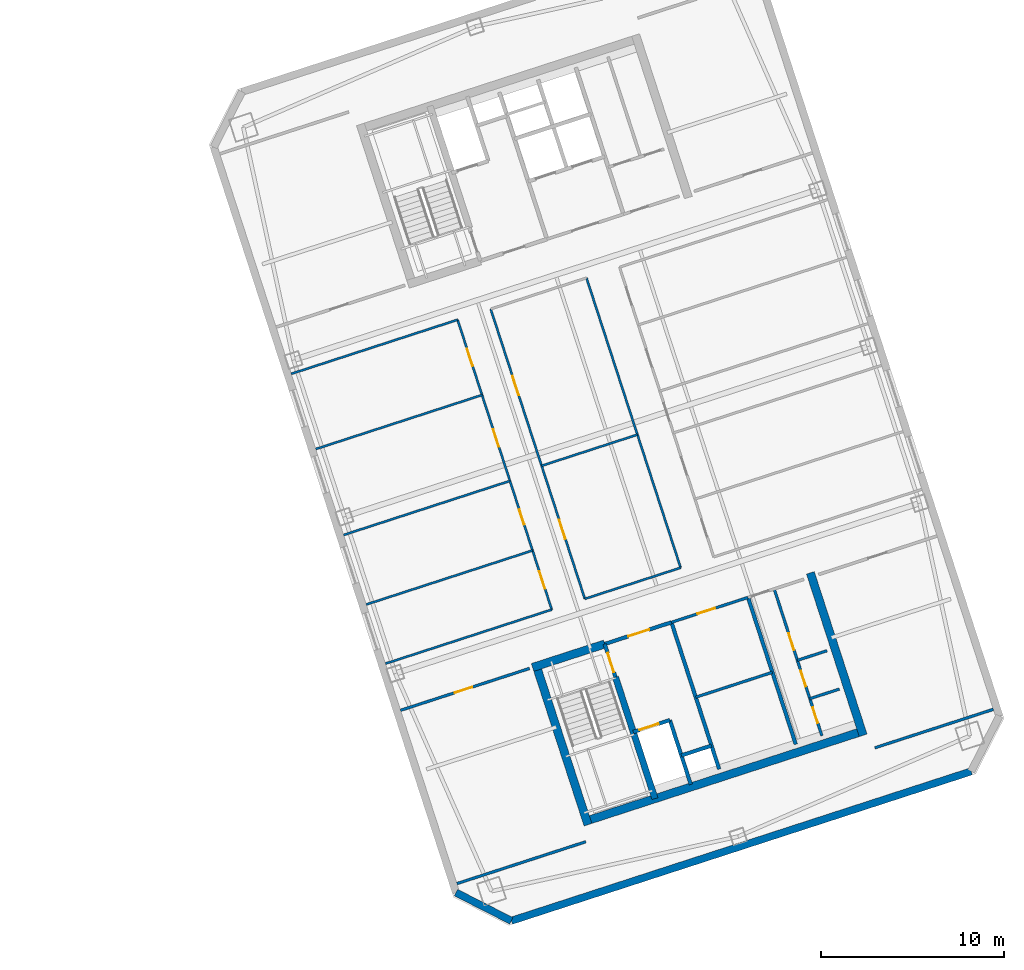
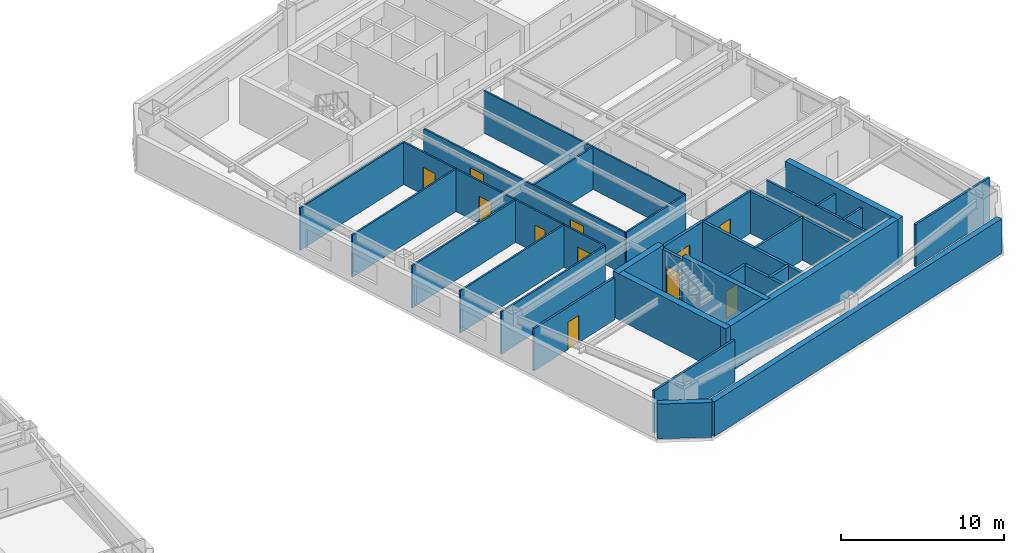
# One storey, part 8 of 13: 32 walls, 14 doors, 14 openings.
"""IFC4 building model written with IfcOpenShell, lengths in metres."""

from ifc_helpers import new_model, si_unit, direction, frame, frame_2d, origin, place, context, subcontext, project, spatial, rectangle, extrude, material, layer, layer_set, type_object, element, fill, save


model = new_model("IFC4")

# Units and contexts
model_context = context("Model", 3, precision=1e-05, world=origin(), true_north=direction((0.0, 1.0)))
body_context = subcontext(model_context, "Body", "Model", "MODEL_VIEW")
ifc_project = project(units=[si_unit("LENGTHUNIT", "METRE"), si_unit("AREAUNIT", "SQUARE_METRE"), si_unit("VOLUMEUNIT", "CUBIC_METRE"), si_unit("PLANEANGLEUNIT", "RADIAN"), si_unit("MASSUNIT", "GRAM", prefix="KILO")], contexts=[model_context])

# Site, building, storey
site_placement = place(None, origin())
site = spatial("IfcSite", under=ifc_project, at=site_placement, CompositionType="ELEMENT")
building_placement = place(site_placement, origin())
building = spatial("IfcBuilding", under=site, at=building_placement, Name="Qiaolan Cultural Towers", CompositionType="ELEMENT")
storey_placement = place(building_placement, frame((0.0, 0.0, 192.050048828125)))
storey = spatial("IfcBuildingStorey", under=building, at=storey_placement, Name="L51", CompositionType="ELEMENT", Elevation=192.050048828125)

# Walls
ifc_material_1 = material(Name="Concrete C50", Category="concrete")
ifc_layer_1 = layer(ifc_material_1, 0.35009765625)
ifc_layer_set_1 = layer_set([ifc_layer_1], Name="Concrete C50")
wall_type_1 = type_object("IfcWallType", Name="WL-CORE-350", PredefinedType="SHEAR", material=ifc_layer_set_1)
wall_1_placement = place(storey_placement, frame((90.486328125, 20.59423828125, 0.0), z_axis=(0.0, 0.0, 1.0), x_axis=(0.309020428229, -0.951055400562, 0.0)))
element("IfcWall", 1, at=wall_1_placement, inside=storey, type_object=wall_type_1, Name="L51 T2-CS Stair Core Dividing Web", PredefinedType="SHEAR", context=body_context, shape_type="SweptSolid", body=[
    extrude(rectangle(XDim=6.97998046875, YDim=0.35009765625, at=frame_2d((3.489990234375, 0.0))), origin(), (0.0, 0.0, 1.0), 3.449951171875),
])
ifc_material_2 = material(Name="Concrete C50", Category="concrete")
ifc_layer_2 = layer(ifc_material_2, 0.449951171875)
ifc_layer_set_2 = layer_set([ifc_layer_2], Name="Concrete C50")
wall_type_2 = type_object("IfcWallType", Name="WL-CORE-450", PredefinedType="SHEAR", material=ifc_layer_set_2)
wall_2_placement = place(storey_placement, frame((88.701171875, 12.675048828125, 0.0), z_axis=(0.0, 0.0, 1.0), x_axis=(0.95105824505, 0.309011673763, 0.0)))
element("IfcWall", 2, at=wall_2_placement, inside=storey, type_object=wall_type_2, Name="L51 T2-CS Outer Core Shear Wall", PredefinedType="SHEAR", context=body_context, shape_type="SweptSolid", body=[
    extrude(rectangle(XDim=16.250244140625, YDim=0.449951171875, at=frame_2d((8.125, 0.0))), origin(), (0.0, 0.0, 1.0), 3.449951171875),
])
for number, where, z_axis, x_axis, name in (
    (3, (86.1015625, 21.40380859375, 0.0), (0.0, 0.0, 1.0), (0.309035778627, -0.951050412717, 0.0), "L51 T2-CS West Core Shear Wall"),
    (4, (101.12841796875, 26.286376953125, 0.0), (0.0, 0.0, 1.0), (0.309004419953, -0.951060601881, 0.0), "L51 T2-CS East Core Shear Wall"),
):
    element("IfcWall", number, at=place(storey_placement, frame(where, z_axis=z_axis, x_axis=x_axis)), inside=storey, type_object=wall_type_2, Name=name, PredefinedType="SHEAR", context=body_context, shape_type="SweptSolid", body=[
        extrude(rectangle(XDim=9.330078125, YDim=0.449951171875, at=frame_2d((4.6650390625, 0.0))), origin(), (0.0, 0.0, 1.0), 3.449951171875),
    ])
wall_3_placement = place(storey_placement, frame((85.957275390625, 21.120361328125, 0.0), z_axis=(0.0, 0.0, 1.0), x_axis=(0.951064796122, 0.308991510526, 0.0)))
element("IfcWall", 5, at=wall_3_placement, inside=storey, type_object=wall_type_2, Name="L51 T2-CS Stair Front Shear Wall", PredefinedType="SHEAR", context=body_context, shape_type="SweptSolid", body=[
    extrude(rectangle(XDim=4.14501953125, YDim=0.449951171875, at=frame_2d((2.072509765625, 0.0))), origin(), (0.0, 0.0, 1.0), 3.449951171875),
])
ifc_material_3 = material(Name="Precast Concrete C50 Honed Stone Pier", Category="masonry")
ifc_layer_3 = layer(ifc_material_3, 0.39990234375)
ifc_layer_set_3 = layer_set([ifc_layer_3], Name="Precast Concrete C50 Honed Stone Pier")
wall_type_3 = type_object("IfcWallType", Name="WL-EXT-PIER-400", PredefinedType="SOLIDWALL", material=ifc_layer_set_3)
wall_4_placement = place(storey_placement, frame((109.908447265625, 15.44384765625, 0.0), z_axis=(0.0, 0.0, 1.0), x_axis=(-0.951057580055, -0.30901372044, 0.0)))
element("IfcWall", 6, at=wall_4_placement, inside=storey, type_object=wall_type_3, Name="L51 East Tower Precast Pier Facade Wall F7", PredefinedType="SOLIDWALL", context=body_context, shape_type="SweptSolid", body=[
    extrude(rectangle(XDim=26.39990234375, YDim=0.39990234375, at=frame_2d((13.199951171875, 0.0))), origin(), (0.0, 0.0, 1.0), 2.60986328125),
])
wall_5_placement = place(storey_placement, frame((84.800537109375, 7.285888671875, 0.0), z_axis=(0.0, 0.0, 1.0), x_axis=(-0.891020832027, 0.453962417932, 0.0)))
element("IfcWall", 7, at=wall_5_placement, inside=storey, type_object=wall_type_3, Name="L51 East Tower Precast Pier Facade Wall F8", PredefinedType="SOLIDWALL", context=body_context, shape_type="SweptSolid", body=[
    extrude(rectangle(XDim=3.39404296875, YDim=0.39990234375, at=frame_2d((1.697021484375, 0.0))), origin(), (0.0, 0.0, 1.0), 2.60986328125),
])

# Wall, opening, door
ifc_material_4 = material(Name="Concrete C35 Fire Wall", Category="concrete")
ifc_layer_4 = layer(ifc_material_4, 0.199951171875)
ifc_layer_set_4 = layer_set([ifc_layer_4], Name="Concrete C35 Fire Wall")
wall_type_4 = type_object("IfcWallType", Name="WL-FIRE-200", PredefinedType="PARTITIONING", material=ifc_layer_set_4)
wall_6_placement = place(storey_placement, frame((89.8994140625, 22.401123046875, 0.0), z_axis=(0.0, 0.0, 1.0), x_axis=(0.308932062672, -0.951084108086, 0.0)))
wall_6 = element("IfcWall", 8, at=wall_6_placement, inside=storey, type_object=wall_type_4, Name="L51 T2-CS Smokeproof Stair Entry Wall", PredefinedType="PARTITIONING", context=body_context, shape_type="SweptSolid", body=[
    extrude(rectangle(XDim=1.89990234375, YDim=0.199951171875, at=frame_2d((0.949951171875, 0.0))), origin(), (0.0, 0.0, 1.0), 3.175048828125),
])
opening_1_placement = place(wall_6_placement, frame((0.52001953125, 0.0, 0.0)))
opening_1 = element("IfcOpeningElement", 9, at=opening_1_placement, cuts=wall_6, Name="Opening FD-04", PredefinedType="OPENING", context=body_context, shape_type="SweptSolid", body=[
    extrude(rectangle(XDim=1.10009765625, YDim=2.050048828125, at=frame_2d((0.550048828125, 1.02490234375))), frame((0.0, 0.10986328125, 0.0), z_axis=(0.0, -1.0, 0.0), x_axis=(1.0, 0.0, 0.0)), (0.0, 0.0, 1.0), 0.219970703125),
])
ifc_material_5 = material(Name="Galvanized Steel Command Fire Door", Category="steel")
door_type_1 = type_object("IfcDoorType", Name="DR-FD90-1100", OperationType="NOTDEFINED", PredefinedType="DOOR", material=ifc_material_5)
door_1_placement = place(opening_1_placement, origin())
door_1 = element("IfcDoor", 10, at=door_1_placement, inside=storey, type_object=door_type_1, Name="L51 ST-E1 Smokeproof Stair Fire Door", OperationType="SINGLE_SWING_LEFT", OverallHeight=2.050048828125, OverallWidth=1.10009765625, PredefinedType="DOOR", context=body_context, shape_type="SweptSolid", body=[
    extrude(rectangle(XDim=1.10009765625, YDim=2.050048828125, at=frame_2d((0.550048828125, 1.02490234375))), frame((0.0, 0.02490234375, 0.0), z_axis=(0.0, -1.0, 0.0), x_axis=(1.0, 0.0, 0.0)), (0.0, 0.0, 1.0), 0.050048828125),
])
fill(opening_1, door_1)

# Wall
wall_7_placement = place(storey_placement, frame((93.541748046875, 23.584716796875, 0.0), z_axis=(0.0, 0.0, 1.0), x_axis=(0.309042196757, -0.951048327176, 0.0)))
element("IfcWall", 11, at=wall_7_placement, inside=storey, type_object=wall_type_4, Name="L51 T2-CS Firefighting Zone Wall", PredefinedType="PARTITIONING", context=body_context, shape_type="SweptSolid", body=[
    extrude(rectangle(XDim=8.429931640625, YDim=0.199951171875, at=frame_2d((4.21484375, 0.0))), origin(), (0.0, 0.0, 1.0), 3.175048828125),
])

# Wall, opening, door
wall_8_placement = place(storey_placement, frame((89.8994140625, 22.401123046875, 0.0), z_axis=(0.0, 0.0, 1.0), x_axis=(0.951046716504, 0.309047153403, 0.0)))
wall_8 = element("IfcWall", 12, at=wall_8_placement, inside=storey, type_object=wall_type_4, Name="L51 T2-CS Firefighting Lobby Front Wall", PredefinedType="PARTITIONING", context=body_context, shape_type="SweptSolid", body=[
    extrude(rectangle(XDim=3.829833984375, YDim=0.199951171875, at=frame_2d((1.9150390625, 0.0))), origin(), (0.0, 0.0, 1.0), 3.175048828125),
])
opening_2_placement = place(wall_8_placement, frame((1.35009765625, 0.0, 0.0)))
opening_2 = element("IfcOpeningElement", 13, at=opening_2_placement, cuts=wall_8, Name="Opening FD-03", PredefinedType="OPENING", context=body_context, shape_type="SweptSolid", body=[
    extrude(rectangle(XDim=1.199951171875, YDim=2.050048828125, at=frame_2d((0.60009765625, 1.02490234375))), frame((0.0, 0.10986328125, 0.0), z_axis=(0.0, -1.0, 0.0), x_axis=(1.0, 0.0, 0.0)), (0.0, 0.0, 1.0), 0.219970703125),
])
ifc_material_6 = material(Name="Galvanized Steel Smokeproof Lobby Fire Door", Category="steel")
door_type_2 = type_object("IfcDoorType", Name="DR-FD90-1200", OperationType="NOTDEFINED", PredefinedType="DOOR", material=ifc_material_6)
door_2_placement = place(opening_2_placement, origin())
door_2 = element("IfcDoor", 14, at=door_2_placement, inside=storey, type_object=door_type_2, Name="L51 FFL-E1 Firefighting Lobby Fire Door", OperationType="SINGLE_SWING_LEFT", OverallHeight=2.050048828125, OverallWidth=1.199951171875, PredefinedType="DOOR", context=body_context, shape_type="SweptSolid", body=[
    extrude(rectangle(XDim=1.199951171875, YDim=2.050048828125, at=frame_2d((0.60009765625, 1.02490234375))), frame((0.0, 0.02490234375, 0.0), z_axis=(0.0, -1.0, 0.0), x_axis=(1.0, 0.0, 0.0)), (0.0, 0.0, 1.0), 0.050048828125),
])
fill(opening_2, door_2)

wall_9_placement = place(storey_placement, frame((91.459716796875, 17.598388671875, 0.0), z_axis=(0.0, 0.0, 1.0), x_axis=(0.951062257173, 0.308999325213, 0.0)))
wall_9 = element("IfcWall", 15, at=wall_9_placement, inside=storey, type_object=wall_type_4, Name="L51 T2-CS Firefighting Shaft Front Wall", PredefinedType="PARTITIONING", context=body_context, shape_type="SweptSolid", body=[
    extrude(rectangle(XDim=2.10009765625, YDim=0.199951171875, at=frame_2d((1.050048828125, 0.0))), origin(), (0.0, 0.0, 1.0), 3.175048828125),
])
opening_3_placement = place(wall_9_placement, frame((0.35009765625, 0.0, 0.0)))
opening_3 = element("IfcOpeningElement", 16, at=opening_3_placement, cuts=wall_9, Name="Opening LD-01", PredefinedType="OPENING", context=body_context, shape_type="SweptSolid", body=[
    extrude(rectangle(XDim=1.10009765625, YDim=2.050048828125, at=frame_2d((0.550048828125, 1.02490234375))), frame((0.0, 0.10986328125, 0.0), z_axis=(0.0, -1.0, 0.0), x_axis=(1.0, 0.0, 0.0)), (0.0, 0.0, 1.0), 0.219970703125),
])
ifc_material_7 = material(Name="Brushed Stainless Steel S30408 Centre-Parting Lift Landing Door", Category="steel")
door_type_3 = type_object("IfcDoorType", Name="DR-LIFT-1100", OperationType="NOTDEFINED", PredefinedType="DOOR", material=ifc_material_7)
door_3_placement = place(opening_3_placement, origin())
door_3 = element("IfcDoor", 17, at=door_3_placement, inside=storey, type_object=door_type_3, Name="L51 FFL-E1 Firefighting Lift Landing Door", OperationType="DOUBLE_DOOR_SLIDING", OverallHeight=2.050048828125, OverallWidth=1.10009765625, PredefinedType="DOOR", context=body_context, shape_type="SweptSolid", body=[
    extrude(rectangle(XDim=1.10009765625, YDim=2.050048828125, at=frame_2d((0.550048828125, 1.02490234375))), frame((0.0, 0.02490234375, 0.0), z_axis=(0.0, -1.0, 0.0), x_axis=(1.0, 0.0, 0.0)), (0.0, 0.0, 1.0), 0.050048828125),
])
fill(opening_3, door_3)

# Walls
wall_10_placement = place(storey_placement, frame((93.45703125, 18.247314453125, 0.0), z_axis=(0.0, 0.0, 1.0), x_axis=(0.3089935693, -0.951064127245, 0.0)))
element("IfcWall", 18, at=wall_10_placement, inside=storey, type_object=wall_type_4, Name="L51 T2-CS Firefighting Hoistway East Wall", PredefinedType="PARTITIONING", context=body_context, shape_type="SweptSolid", body=[
    extrude(rectangle(XDim=3.7001953125, YDim=0.199951171875, at=frame_2d((1.85009765625, 0.0))), origin(), (0.0, 0.0, 1.0), 3.175048828125),
])
wall_11_placement = place(storey_placement, frame((94.08447265625, 16.316650390625, 0.0), z_axis=(0.0, 0.0, 1.0), x_axis=(0.951041328149, 0.309063734775, 0.0)))
element("IfcWall", 19, at=wall_11_placement, inside=storey, type_object=wall_type_4, Name="L51 T2-CS Pressurization Shaft Front Wall", PredefinedType="PARTITIONING", context=body_context, shape_type="SweptSolid", body=[
    extrude(rectangle(XDim=1.72998046875, YDim=0.199951171875, at=frame_2d((0.864990234375, 0.0))), origin(), (0.0, 0.0, 1.0), 3.175048828125),
])
wall_12_placement = place(storey_placement, frame((97.7265625, 24.9443359375, 0.0), z_axis=(0.0, 0.0, 1.0), x_axis=(0.309016001439, -0.951056838919, 0.0)))
element("IfcWall", 20, at=wall_12_placement, inside=storey, type_object=wall_type_4, Name="L51 T2-CS Lift Core East Wall", PredefinedType="PARTITIONING", context=body_context, shape_type="SweptSolid", body=[
    extrude(rectangle(XDim=8.429931640625, YDim=0.199951171875, at=frame_2d((4.21484375, 0.0))), origin(), (0.0, 0.0, 1.0), 3.175048828125),
])
ifc_material_8 = material(Name="Gypsum Stud Acoustic Partition", Category="gypsum")
ifc_layer_5 = layer(ifc_material_8, 0.1201171875)
ifc_layer_set_5 = layer_set([ifc_layer_5], Name="Gypsum Stud Acoustic Partition")
wall_type_5 = type_object("IfcWallType", Name="WL-PART-120", PredefinedType="PARTITIONING", material=ifc_layer_set_5)
wall_13_placement = place(storey_placement, frame((77.9248046875, 21.328369140625, 0.0), z_axis=(0.0, 0.0, 1.0), x_axis=(0.951053980838, 0.309024797601, 0.0)))
element("IfcWall", 21, at=wall_13_placement, inside=storey, type_object=wall_type_5, Name="L51 T2 Interior Wall", PredefinedType="PARTITIONING", context=body_context, shape_type="SweptSolid", body=[
    extrude(rectangle(XDim=9.550048828125, YDim=0.1201171875, at=frame_2d((4.77490234375, 0.0))), origin(), (0.0, 0.0, 1.0), 3.175048828125),
])
wall_14_placement = place(storey_placement, frame((88.814453125, 24.86669921875, 0.0), z_axis=(0.0, 0.0, 1.0), x_axis=(0.951061793147, 0.309000753423, 0.0)))
element("IfcWall", 22, at=wall_14_placement, inside=storey, type_object=wall_type_5, Name="L51 T2 Interior Wall", PredefinedType="PARTITIONING", context=body_context, shape_type="SweptSolid", body=[
    extrude(rectangle(XDim=5.499755859375, YDim=0.1201171875, at=frame_2d((2.75, 0.0))), origin(), (0.0, 0.0, 1.0), 3.175048828125),
])
wall_15_placement = place(storey_placement, frame((72.78271484375, 37.15380859375, 0.0), z_axis=(0.0, 0.0, 1.0), x_axis=(0.951053980838, 0.309024797601, 0.0)))
element("IfcWall", 23, at=wall_15_placement, inside=storey, type_object=wall_type_5, Name="L51 T2 Interior Wall", PredefinedType="PARTITIONING", context=body_context, shape_type="SweptSolid", body=[
    extrude(rectangle(XDim=9.550048828125, YDim=0.1201171875, at=frame_2d((4.77490234375, 0.0))), origin(), (0.0, 0.0, 1.0), 3.175048828125),
])

# Wall, openings, doors
wall_16_placement = place(storey_placement, frame((87.00732421875, 24.279541015625, 0.0), z_axis=(0.0, 0.0, 1.0), x_axis=(-0.309022042254, 0.951054876125, 0.0)))
wall_16 = element("IfcWall", 24, at=wall_16_placement, inside=storey, type_object=wall_type_5, Name="L51 T2 Interior Wall", PredefinedType="PARTITIONING", context=body_context, shape_type="SweptSolid", body=[
    extrude(rectangle(XDim=16.639892578125, YDim=0.1201171875, at=frame_2d((8.31982421875, 0.0))), origin(), (0.0, 0.0, 1.0), 3.175048828125),
])
opening_4_placement = place(wall_16_placement, frame((1.197265625, 0.0, 0.0)))
opening_4 = element("IfcOpeningElement", 25, at=opening_4_placement, cuts=wall_16, Name="Opening ID-04", PredefinedType="OPENING", context=body_context, shape_type="SweptSolid", body=[
    extrude(rectangle(XDim=1.0, YDim=2.050048828125, at=frame_2d((0.5, 1.02490234375))), frame((0.0, 0.070068359375, 0.0), z_axis=(0.0, -1.0, 0.0), x_axis=(1.0, 0.0, 0.0)), (0.0, 0.0, 1.0), 0.14013671875),
])
opening_5_placement = place(wall_16_placement, frame((4.89111328125, 0.0, 0.0)))
opening_5 = element("IfcOpeningElement", 26, at=opening_5_placement, cuts=wall_16, Name="Opening ID-09", PredefinedType="OPENING", context=body_context, shape_type="SweptSolid", body=[
    extrude(rectangle(XDim=0.85009765625, YDim=2.050048828125, at=frame_2d((0.425048828125, 1.02490234375))), frame((0.0, 0.070068359375, 0.0), z_axis=(0.0, -1.0, 0.0), x_axis=(1.0, 0.0, 0.0)), (0.0, 0.0, 1.0), 0.14013671875),
])
opening_6_placement = place(wall_16_placement, frame((9.35400390625, 0.0, 0.0)))
opening_6 = element("IfcOpeningElement", 27, at=opening_6_placement, cuts=wall_16, Name="Opening ID-04", PredefinedType="OPENING", context=body_context, shape_type="SweptSolid", body=[
    extrude(rectangle(XDim=1.0, YDim=2.050048828125, at=frame_2d((0.5, 1.02490234375))), frame((0.0, 0.070068359375, 0.0), z_axis=(0.0, -1.0, 0.0), x_axis=(1.0, 0.0, 0.0)), (0.0, 0.0, 1.0), 0.14013671875),
])
opening_7_placement = place(wall_16_placement, frame((13.97998046875, 0.0, 0.0)))
opening_7 = element("IfcOpeningElement", 28, at=opening_7_placement, cuts=wall_16, Name="Opening ID-04", PredefinedType="OPENING", context=body_context, shape_type="SweptSolid", body=[
    extrude(rectangle(XDim=1.0, YDim=2.050048828125, at=frame_2d((0.5, 1.02490234375))), frame((0.0, 0.070068359375, 0.0), z_axis=(0.0, -1.0, 0.0), x_axis=(1.0, 0.0, 0.0)), (0.0, 0.0, 1.0), 0.14013671875),
])
ifc_material_9 = material(Name="Oak Veneer Acoustic Office Door", Category="timber")
door_type_4 = type_object("IfcDoorType", Name="DR-INT-1000", OperationType="NOTDEFINED", PredefinedType="DOOR", material=ifc_material_9)
door_4_placement = place(opening_4_placement, origin())
door_4 = element("IfcDoor", 29, at=door_4_placement, inside=storey, type_object=door_type_4, Name="L51 T2 International Law Office Door", OperationType="SINGLE_SWING_LEFT", OverallHeight=2.050048828125, OverallWidth=1.0, PredefinedType="DOOR", context=body_context, shape_type="SweptSolid", body=[
    extrude(rectangle(XDim=1.0, YDim=2.050048828125, at=frame_2d((0.5, 1.02490234375))), frame((0.0, 0.02490234375, 0.0), z_axis=(0.0, -1.0, 0.0), x_axis=(1.0, 0.0, 0.0)), (0.0, 0.0, 1.0), 0.050048828125),
])
fill(opening_4, door_4)
door_5_placement = place(opening_6_placement, origin())
door_5 = element("IfcDoor", 30, at=door_5_placement, inside=storey, type_object=door_type_4, Name="L51 T2 International Law Office Door", OperationType="SINGLE_SWING_LEFT", OverallHeight=2.050048828125, OverallWidth=1.0, PredefinedType="DOOR", context=body_context, shape_type="SweptSolid", body=[
    extrude(rectangle(XDim=1.0, YDim=2.050048828125, at=frame_2d((0.5, 1.02490234375))), frame((0.0, 0.02490234375, 0.0), z_axis=(0.0, -1.0, 0.0), x_axis=(1.0, 0.0, 0.0)), (0.0, 0.0, 1.0), 0.050048828125),
])
fill(opening_6, door_5)
door_6_placement = place(opening_7_placement, origin())
door_6 = element("IfcDoor", 31, at=door_6_placement, inside=storey, type_object=door_type_4, Name="L51 T2 Arbitration Room Door", OperationType="SINGLE_SWING_RIGHT", OverallHeight=2.050048828125, OverallWidth=1.0, PredefinedType="DOOR", context=body_context, shape_type="SweptSolid", body=[
    extrude(rectangle(XDim=1.0, YDim=2.050048828125, at=frame_2d((0.5, 1.02490234375))), frame((0.0, 0.02490234375, 0.0), z_axis=(0.0, -1.0, 0.0), x_axis=(1.0, 0.0, 0.0)), (0.0, 0.0, 1.0), 0.050048828125),
])
fill(opening_7, door_6)
ifc_material_10 = material(Name="Moisture-Resistant Laminate Utility Door", Category="timber")
door_type_5 = type_object("IfcDoorType", Name="DR-INT-850", OperationType="NOTDEFINED", PredefinedType="DOOR", material=ifc_material_10)
door_7_placement = place(opening_5_placement, origin())
door_7 = element("IfcDoor", 32, at=door_7_placement, inside=storey, type_object=door_type_5, Name="L51 T2 International Law Office Door", OperationType="SINGLE_SWING_RIGHT", OverallHeight=2.050048828125, OverallWidth=0.85009765625, PredefinedType="DOOR", context=body_context, shape_type="SweptSolid", body=[
    extrude(rectangle(XDim=0.85009765625, YDim=2.050048828125, at=frame_2d((0.425048828125, 1.02490234375))), frame((0.0, 0.02490234375, 0.0), z_axis=(0.0, -1.0, 0.0), x_axis=(1.0, 0.0, 0.0)), (0.0, 0.0, 1.0), 0.050048828125),
])
fill(opening_5, door_7)

wall_17_placement = place(storey_placement, frame((88.814453125, 24.86669921875, 0.0), z_axis=(0.0, 0.0, 1.0), x_axis=(-0.309022042254, 0.951054876125, 0.0)))
wall_17 = element("IfcWall", 33, at=wall_17_placement, inside=storey, type_object=wall_type_5, Name="L51 T2 Interior Wall", PredefinedType="PARTITIONING", context=body_context, shape_type="SweptSolid", body=[
    extrude(rectangle(XDim=16.639892578125, YDim=0.1201171875, at=frame_2d((8.31982421875, 0.0))), origin(), (0.0, 0.0, 1.0), 3.175048828125),
])
opening_8_placement = place(wall_17_placement, frame((3.43798828125, 0.0, 0.0)))
opening_8 = element("IfcOpeningElement", 34, at=opening_8_placement, cuts=wall_17, Name="Opening ID-03", PredefinedType="OPENING", context=body_context, shape_type="SweptSolid", body=[
    extrude(rectangle(XDim=1.10009765625, YDim=2.050048828125, at=frame_2d((0.550048828125, 1.02490234375))), frame((0.0, 0.070068359375, 0.0), z_axis=(0.0, -1.0, 0.0), x_axis=(1.0, 0.0, 0.0)), (0.0, 0.0, 1.0), 0.14013671875),
])
opening_9_placement = place(wall_17_placement, frame((11.68994140625, 0.0, 0.0)))
opening_9 = element("IfcOpeningElement", 35, at=opening_9_placement, cuts=wall_17, Name="Opening ID-03", PredefinedType="OPENING", context=body_context, shape_type="SweptSolid", body=[
    extrude(rectangle(XDim=1.10009765625, YDim=2.050048828125, at=frame_2d((0.550048828125, 1.02490234375))), frame((0.0, 0.070068359375, 0.0), z_axis=(0.0, -1.0, 0.0), x_axis=(1.0, 0.0, 0.0)), (0.0, 0.0, 1.0), 0.14013671875),
])
ifc_material_11 = material(Name="Oak Veneer Solid-Core Boardroom Door", Category="timber")
door_type_6 = type_object("IfcDoorType", Name="DR-INT-1100", OperationType="NOTDEFINED", PredefinedType="DOOR", material=ifc_material_11)
door_8_placement = place(opening_8_placement, origin())
door_8 = element("IfcDoor", 36, at=door_8_placement, inside=storey, type_object=door_type_6, Name="L51 T2 Central Boardroom Door", OperationType="SINGLE_SWING_LEFT", OverallHeight=2.050048828125, OverallWidth=1.10009765625, PredefinedType="DOOR", context=body_context, shape_type="SweptSolid", body=[
    extrude(rectangle(XDim=1.10009765625, YDim=2.050048828125, at=frame_2d((0.550048828125, 1.02490234375))), frame((0.0, 0.02490234375, 0.0), z_axis=(0.0, -1.0, 0.0), x_axis=(1.0, 0.0, 0.0)), (0.0, 0.0, 1.0), 0.050048828125),
])
fill(opening_8, door_8)
door_9_placement = place(opening_9_placement, origin())
door_9 = element("IfcDoor", 37, at=door_9_placement, inside=storey, type_object=door_type_6, Name="L51 T2 Central Archive Salon Door", OperationType="SINGLE_SWING_RIGHT", OverallHeight=2.050048828125, OverallWidth=1.10009765625, PredefinedType="DOOR", context=body_context, shape_type="SweptSolid", body=[
    extrude(rectangle(XDim=1.10009765625, YDim=2.050048828125, at=frame_2d((0.550048828125, 1.02490234375))), frame((0.0, 0.02490234375, 0.0), z_axis=(0.0, -1.0, 0.0), x_axis=(1.0, 0.0, 0.0)), (0.0, 0.0, 1.0), 0.050048828125),
])
fill(opening_9, door_9)

# Walls
wall_18_placement = place(storey_placement, frame((94.045166015625, 26.566162109375, 0.0), z_axis=(0.0, 0.0, 1.0), x_axis=(-0.30901773025, 0.951056277195, 0.0)))
element("IfcWall", 38, at=wall_18_placement, inside=storey, type_object=wall_type_5, Name="L51 T2 Interior Wall", PredefinedType="PARTITIONING", context=body_context, shape_type="SweptSolid", body=[
    extrude(rectangle(XDim=16.64013671875, YDim=0.1201171875, at=frame_2d((8.320068359375, 0.0))), origin(), (0.0, 0.0, 1.0), 3.175048828125),
])
wall_19_placement = place(storey_placement, frame((86.453369140625, 32.132568359375, 0.0), z_axis=(0.0, 0.0, 1.0), x_axis=(0.951052986339, 0.309027858251, 0.0)))
element("IfcWall", 39, at=wall_19_placement, inside=storey, type_object=wall_type_5, Name="L51 T2 Interior Wall", PredefinedType="PARTITIONING", context=body_context, shape_type="SweptSolid", body=[
    extrude(rectangle(XDim=5.500244140625, YDim=0.1201171875, at=frame_2d((2.75, 0.0))), origin(), (0.0, 0.0, 1.0), 3.175048828125),
])
wall_20_placement = place(storey_placement, frame((76.875732421875, 24.556640625, 0.0), z_axis=(0.0, 0.0, 1.0), x_axis=(0.951056422073, 0.309017284359, 0.0)))
element("IfcWall", 40, at=wall_20_placement, inside=storey, type_object=wall_type_5, Name="L51 T2 Interior Wall", PredefinedType="PARTITIONING", context=body_context, shape_type="SweptSolid", body=[
    extrude(rectangle(XDim=9.55029296875, YDim=0.1201171875, at=frame_2d((4.775146484375, 0.0))), origin(), (0.0, 0.0, 1.0), 3.175048828125),
])
for number, where, z_axis, x_axis, name in (
    (41, (75.641845703125, 28.354736328125, 0.0), (0.0, 0.0, 1.0), (0.951053980838, 0.309024797601, 0.0), "L51 T2 Interior Wall"),
    (42, (74.11767578125, 33.04541015625, 0.0), (0.0, 0.0, 1.0), (0.951053980838, 0.309024797601, 0.0), "L51 T2 Interior Wall"),
):
    element("IfcWall", number, at=place(storey_placement, frame(where, z_axis=z_axis, x_axis=x_axis)), inside=storey, type_object=wall_type_5, Name=name, PredefinedType="PARTITIONING", context=body_context, shape_type="SweptSolid", body=[
        extrude(rectangle(XDim=9.550048828125, YDim=0.1201171875, at=frame_2d((4.77490234375, 0.0))), origin(), (0.0, 0.0, 1.0), 3.175048828125),
    ])

# Wall, opening, door
ifc_material_12 = material(Name="Autoclaved Aerated Concrete Block B06", Category="concrete")
ifc_layer_6 = layer(ifc_material_12, 0.14990234375)
ifc_layer_set_6 = layer_set([ifc_layer_6], Name="Autoclaved Aerated Concrete Block B06")
wall_type_6 = type_object("IfcWallType", Name="WL-PART-150", PredefinedType="PARTITIONING", material=ifc_layer_set_6)
wall_21_placement = place(storey_placement, frame((93.541748046875, 23.584716796875, 0.0), z_axis=(0.0, 0.0, 1.0), x_axis=(0.951063829732, 0.308994485023, 0.0)))
wall_21 = element("IfcWall", 43, at=wall_21_placement, inside=storey, type_object=wall_type_6, Name="L51 T2-CS Reclaimed Core Room Front Wall", PredefinedType="PARTITIONING", context=body_context, shape_type="SweptSolid", body=[
    extrude(rectangle(XDim=4.400146484375, YDim=0.14990234375, at=frame_2d((2.2001953125, 0.0))), origin(), (0.0, 0.0, 1.0), 3.175048828125),
])
opening_10_placement = place(wall_21_placement, frame((1.5, 0.0, 0.0)))
opening_10 = element("IfcOpeningElement", 44, at=opening_10_placement, cuts=wall_21, Name="Opening ID-04", PredefinedType="OPENING", context=body_context, shape_type="SweptSolid", body=[
    extrude(rectangle(XDim=1.0, YDim=2.050048828125, at=frame_2d((0.5, 1.02490234375))), frame((0.0, 0.0849609375, 0.0), z_axis=(0.0, -1.0, 0.0), x_axis=(1.0, 0.0, 0.0)), (0.0, 0.0, 1.0), 0.169921875),
])
door_10_placement = place(opening_10_placement, origin())
door_10 = element("IfcDoor", 45, at=door_10_placement, inside=storey, type_object=door_type_4, Name="L51 Focus Pod Room Door", OperationType="SINGLE_SWING_LEFT", OverallHeight=2.050048828125, OverallWidth=1.0, PredefinedType="DOOR", context=body_context, shape_type="SweptSolid", body=[
    extrude(rectangle(XDim=1.0, YDim=2.050048828125, at=frame_2d((0.5, 1.02490234375))), frame((0.0, 0.02490234375, 0.0), z_axis=(0.0, -1.0, 0.0), x_axis=(1.0, 0.0, 0.0)), (0.0, 0.0, 1.0), 0.050048828125),
])
fill(opening_10, door_10)

# Wall
wall_22_placement = place(storey_placement, frame((94.87060546875, 19.4951171875, 0.0), z_axis=(0.0, 0.0, 1.0), x_axis=(0.951042223598, 0.309060979314, 0.0)))
element("IfcWall", 46, at=wall_22_placement, inside=storey, type_object=wall_type_6, Name="L51 T2-CS Reclaimed Room Subdivider", PredefinedType="PARTITIONING", context=body_context, shape_type="SweptSolid", body=[
    extrude(rectangle(XDim=4.39990234375, YDim=0.14990234375, at=frame_2d((2.199951171875, 0.0))), origin(), (0.0, 0.0, 1.0), 3.175048828125),
])

# Wall, openings, doors
wall_23_placement = place(storey_placement, frame((99.153076171875, 25.407958984375, 0.0), z_axis=(0.0, 0.0, 1.0), x_axis=(0.309016001439, -0.951056838919, 0.0)))
wall_23 = element("IfcWall", 47, at=wall_23_placement, inside=storey, type_object=wall_type_6, Name="L51 T2-CS Sanitary Vestibule Wall", PredefinedType="PARTITIONING", context=body_context, shape_type="SweptSolid", body=[
    extrude(rectangle(XDim=8.429931640625, YDim=0.14990234375, at=frame_2d((4.21484375, 0.0))), origin(), (0.0, 0.0, 1.0), 3.175048828125),
])
opening_11_placement = place(wall_23_placement, frame((2.550048828125, 0.0, 0.0)))
opening_11 = element("IfcOpeningElement", 48, at=opening_11_placement, cuts=wall_23, Name="Opening ID-05", PredefinedType="OPENING", context=body_context, shape_type="SweptSolid", body=[
    extrude(rectangle(XDim=0.949951171875, YDim=2.050048828125, at=frame_2d((0.47509765625, 1.02490234375))), frame((0.0, 0.0849609375, 0.0), z_axis=(0.0, -1.0, 0.0), x_axis=(1.0, 0.0, 0.0)), (0.0, 0.0, 1.0), 0.169921875),
])
opening_12_placement = place(wall_23_placement, frame((4.699951171875, 0.0, 0.0)))
opening_12 = element("IfcOpeningElement", 49, at=opening_12_placement, cuts=wall_23, Name="Opening ID-06", PredefinedType="OPENING", context=body_context, shape_type="SweptSolid", body=[
    extrude(rectangle(XDim=0.89990234375, YDim=2.050048828125, at=frame_2d((0.449951171875, 1.02490234375))), frame((0.0, 0.0849609375, 0.0), z_axis=(0.0, -1.0, 0.0), x_axis=(1.0, 0.0, 0.0)), (0.0, 0.0, 1.0), 0.169921875),
])
opening_13_placement = place(wall_23_placement, frame((6.800048828125, 0.0, 0.0)))
opening_13 = element("IfcOpeningElement", 50, at=opening_13_placement, cuts=wall_23, Name="Opening ID-06", PredefinedType="OPENING", context=body_context, shape_type="SweptSolid", body=[
    extrude(rectangle(XDim=0.89990234375, YDim=2.050048828125, at=frame_2d((0.449951171875, 1.02490234375))), frame((0.0, 0.0849609375, 0.0), z_axis=(0.0, -1.0, 0.0), x_axis=(1.0, 0.0, 0.0)), (0.0, 0.0, 1.0), 0.169921875),
])
ifc_material_13 = material(Name="Fire-Rated Laminate Core Service Door", Category="timber")
door_type_7 = type_object("IfcDoorType", Name="DR-INT-900", OperationType="NOTDEFINED", PredefinedType="DOOR", material=ifc_material_13)
door_11_placement = place(opening_12_placement, origin())
door_11 = element("IfcDoor", 51, at=door_11_placement, inside=storey, type_object=door_type_7, Name="L51 Men Washroom Door", OperationType="SINGLE_SWING_LEFT", OverallHeight=2.050048828125, OverallWidth=0.89990234375, PredefinedType="DOOR", context=body_context, shape_type="SweptSolid", body=[
    extrude(rectangle(XDim=0.89990234375, YDim=2.050048828125, at=frame_2d((0.449951171875, 1.02490234375))), frame((0.0, 0.02490234375, 0.0), z_axis=(0.0, -1.0, 0.0), x_axis=(1.0, 0.0, 0.0)), (0.0, 0.0, 1.0), 0.050048828125),
])
fill(opening_12, door_11)
door_12_placement = place(opening_13_placement, origin())
door_12 = element("IfcDoor", 52, at=door_12_placement, inside=storey, type_object=door_type_7, Name="L51 Women Washroom Door", OperationType="SINGLE_SWING_RIGHT", OverallHeight=2.050048828125, OverallWidth=0.89990234375, PredefinedType="DOOR", context=body_context, shape_type="SweptSolid", body=[
    extrude(rectangle(XDim=0.89990234375, YDim=2.050048828125, at=frame_2d((0.449951171875, 1.02490234375))), frame((0.0, 0.02490234375, 0.0), z_axis=(0.0, -1.0, 0.0), x_axis=(1.0, 0.0, 0.0)), (0.0, 0.0, 1.0), 0.050048828125),
])
fill(opening_13, door_12)
ifc_material_14 = material(Name="Fire-Rated Laminate Accessible Core Door", Category="timber")
door_type_8 = type_object("IfcDoorType", Name="DR-INT-950", OperationType="NOTDEFINED", PredefinedType="DOOR", material=ifc_material_14)
door_13_placement = place(opening_11_placement, origin())
door_13 = element("IfcDoor", 53, at=door_13_placement, inside=storey, type_object=door_type_8, Name="L51 Accessible Family Washroom Door", OperationType="SINGLE_SWING_LEFT", OverallHeight=2.050048828125, OverallWidth=0.949951171875, PredefinedType="DOOR", context=body_context, shape_type="SweptSolid", body=[
    extrude(rectangle(XDim=0.949951171875, YDim=2.050048828125, at=frame_2d((0.47509765625, 1.02490234375))), frame((0.0, 0.02490234375, 0.0), z_axis=(0.0, -1.0, 0.0), x_axis=(1.0, 0.0, 0.0)), (0.0, 0.0, 1.0), 0.050048828125),
])
fill(opening_11, door_13)

# Walls
wall_24_placement = place(storey_placement, frame((100.420166015625, 21.508544921875, 0.0), z_axis=(0.0, 0.0, 1.0), x_axis=(0.951040401051, 0.309066587596, 0.0)))
element("IfcWall", 54, at=wall_24_placement, inside=storey, type_object=wall_type_6, Name="L51 T2-CS Restroom Split Wall 1", PredefinedType="PARTITIONING", context=body_context, shape_type="SweptSolid", body=[
    extrude(rectangle(XDim=1.699951171875, YDim=0.14990234375, at=frame_2d((0.85009765625, 0.0))), origin(), (0.0, 0.0, 1.0), 3.175048828125),
])
wall_25_placement = place(storey_placement, frame((101.099853515625, 19.416259765625, 0.0), z_axis=(0.0, 0.0, 1.0), x_axis=(0.951054116971, 0.309024378638, 0.0)))
element("IfcWall", 55, at=wall_25_placement, inside=storey, type_object=wall_type_6, Name="L51 T2-CS Restroom Split Wall 2", PredefinedType="PARTITIONING", context=body_context, shape_type="SweptSolid", body=[
    extrude(rectangle(XDim=1.7001953125, YDim=0.14990234375, at=frame_2d((0.85009765625, 0.0))), origin(), (0.0, 0.0, 1.0), 3.175048828125),
])
wall_26_placement = place(storey_placement, frame((81.82763671875, 9.31640625, 0.0), z_axis=(0.0, 0.0, 1.0), x_axis=(0.95105128112, 0.309033106124, 0.0)))
element("IfcWall", 56, at=wall_26_placement, inside=storey, type_object=wall_type_6, Name="L51 T2 Flank Wall FLK-SW", PredefinedType="PARTITIONING", context=body_context, shape_type="SweptSolid", body=[
    extrude(rectangle(XDim=7.400146484375, YDim=0.14990234375, at=frame_2d((3.7001953125, 0.0))), origin(), (0.0, 0.0, 1.0), 3.175048828125),
])

# Wall, opening, door
wall_27_placement = place(storey_placement, frame((78.7529296875, 18.779541015625, 0.0), z_axis=(0.0, 0.0, 1.0), x_axis=(0.951060977215, 0.309003264738, 0.0)))
wall_27 = element("IfcWall", 57, at=wall_27_placement, inside=storey, type_object=wall_type_6, Name="L51 T2 Flank Front FLK-SW", PredefinedType="PARTITIONING", context=body_context, shape_type="SweptSolid", body=[
    extrude(rectangle(XDim=7.39990234375, YDim=0.14990234375, at=frame_2d((3.699951171875, 0.0))), origin(), (0.0, 0.0, 1.0), 3.175048828125),
])
opening_14_placement = place(wall_27_placement, frame((3.10791015625, 0.0, 0.0)))
opening_14 = element("IfcOpeningElement", 58, at=opening_14_placement, cuts=wall_27, Name="Opening ID-04", PredefinedType="OPENING", context=body_context, shape_type="SweptSolid", body=[
    extrude(rectangle(XDim=1.0, YDim=2.050048828125, at=frame_2d((0.5, 1.02490234375))), frame((0.0, 0.0849609375, 0.0), z_axis=(0.0, -1.0, 0.0), x_axis=(1.0, 0.0, 0.0)), (0.0, 0.0, 1.0), 0.169921875),
])
door_14_placement = place(opening_14_placement, origin())
door_14 = element("IfcDoor", 59, at=door_14_placement, inside=storey, type_object=door_type_4, Name="L51 T2 Corner Studio Door", OperationType="SINGLE_SWING_LEFT", OverallHeight=2.050048828125, OverallWidth=1.0, PredefinedType="DOOR", context=body_context, shape_type="SweptSolid", body=[
    extrude(rectangle(XDim=1.0, YDim=2.050048828125, at=frame_2d((0.5, 1.02490234375))), frame((0.0, 0.02490234375, 0.0), z_axis=(0.0, -1.0, 0.0), x_axis=(1.0, 0.0, 0.0)), (0.0, 0.0, 1.0), 0.050048828125),
])
fill(opening_14, door_14)

# Wall
wall_28_placement = place(storey_placement, frame((104.653076171875, 16.73291015625, 0.0), z_axis=(0.0, 0.0, 1.0), x_axis=(0.951054383043, 0.309023559774, 0.0)))
element("IfcWall", 60, at=wall_28_placement, inside=storey, type_object=wall_type_6, Name="L51 T2 Flank Wall FLK-SE", PredefinedType="PARTITIONING", context=body_context, shape_type="SweptSolid", body=[
    extrude(rectangle(XDim=6.7998046875, YDim=0.14990234375, at=frame_2d((3.39990234375, 0.0))), origin(), (0.0, 0.0, 1.0), 3.175048828125),
])

save(model, "model.ifc")
